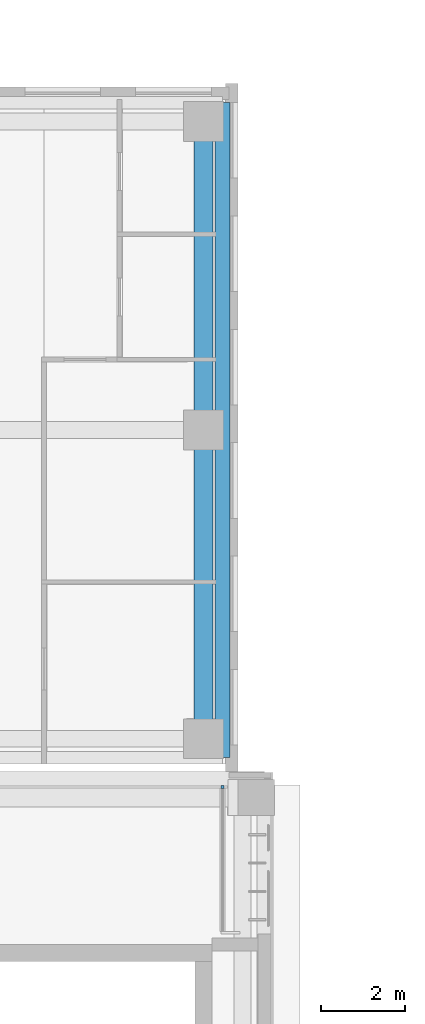
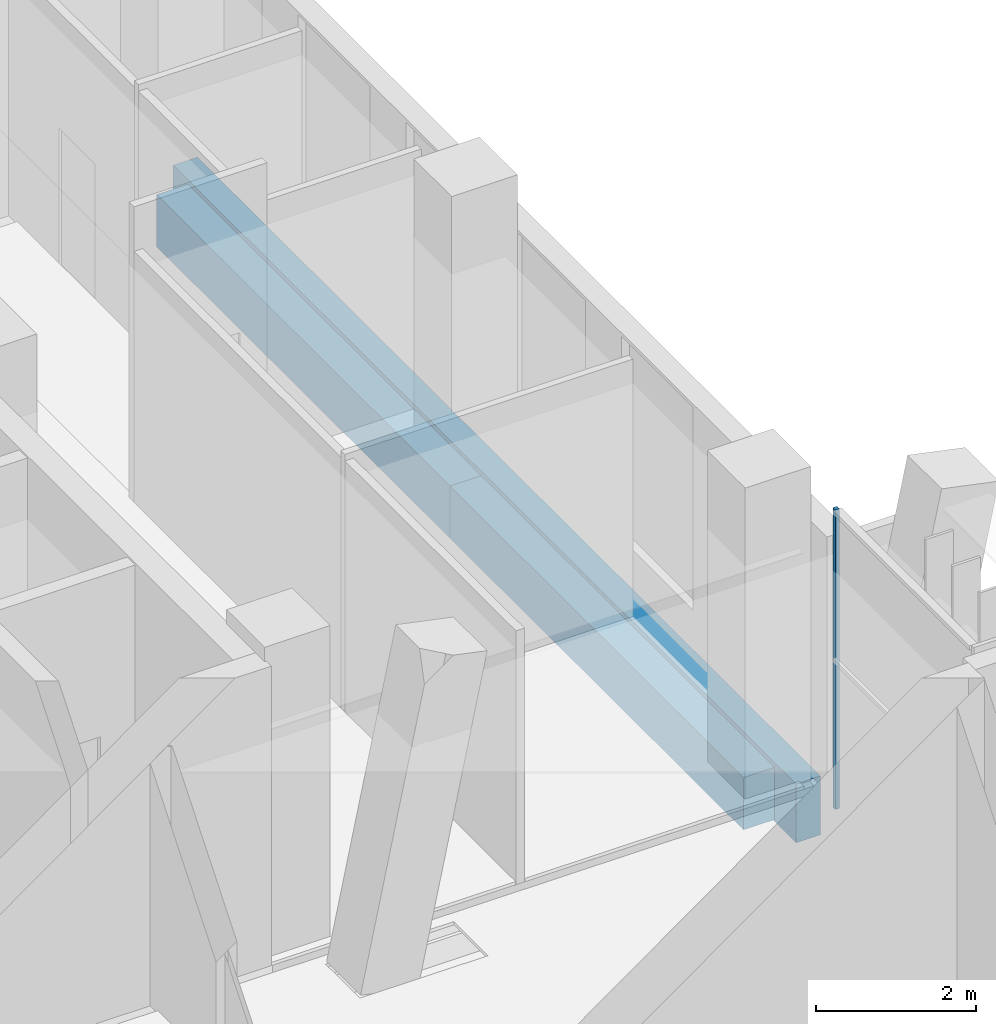
# One storey, part 50 of 92: 3 beams, 1 member, 1 element without a shape of its own.
"""IFC4 building model written with IfcOpenShell, lengths in metres."""

import ifcopenshell
import ifcopenshell.guid

model = None  # the IFC model being written
_history = None  # IfcOwnerHistory: only IFC2X3 demands one
_inside = {}  # id of a spatial element -> (the spatial element, [elements in it])
_under = {}  # id of a project, library or spatial element -> (it, [spatial elements below it])
_declared = {}  # id of a project -> (the project, [libraries it declares])
_typed = {}  # id of a type object -> (the type object, [elements of that type])
_made_of = {}  # id of a material, layer set ... -> (it, [elements and type objects made of it])


def new_model(schema):
    """Start an empty IFC model of exactly this schema.

    Asked for "IFC4X3", IfcOpenShell would pick the latest addendum, in which some entities
    have other attributes; the version numbers below select the first issue.
    IFC2X3 requires an IfcOwnerHistory on every rooted entity: one is made here for all.
    """
    global model, _history
    if schema == "IFC4X3":
        model = ifcopenshell.file(schema_version=(4, 3, 0, 0))
    else:
        model = ifcopenshell.file(schema=schema)
    _inside.clear()
    _under.clear()
    _declared.clear()
    _typed.clear()
    _made_of.clear()
    _history = None
    if model.schema == "IFC2X3":
        org = make("IfcOrganization", Name="unknown")
        user = make(
            "IfcPersonAndOrganization",
            ThePerson=make("IfcPerson", FamilyName="unknown"),
            TheOrganization=org,
        )
        app = make(
            "IfcApplication",
            ApplicationDeveloper=org,
            Version="unknown",
            ApplicationFullName="unknown",
            ApplicationIdentifier="unknown",
        )
        _history = make(
            "IfcOwnerHistory",
            OwningUser=user,
            OwningApplication=app,
            ChangeAction="ADDED",
            CreationDate=0,
        )
    return model


def make(cls, **values):
    """One entity of the class cls with the attributes given. An attribute that is None is left unset."""
    return model.create_entity(
        cls, **{name: value for name, value in values.items() if value is not None}
    )


def rooted(cls, **values):
    """An entity with a GlobalId (a new one), such as an element, a storey or a relation."""
    return make(cls, GlobalId=ifcopenshell.guid.new(), OwnerHistory=_history, **values)


def si_unit(unit_type, name, prefix=None):
    """IfcSIUnit, for example si_unit("LENGTHUNIT", "METRE", prefix="MILLI")."""
    return make("IfcSIUnit", UnitType=unit_type, Prefix=prefix, Name=name)


def assignment(units):
    """IfcUnitAssignment: the units of a project."""
    return None if units is None else make("IfcUnitAssignment", Units=units)


def point(xyz):
    """IfcCartesianPoint."""
    return None if xyz is None else make("IfcCartesianPoint", Coordinates=xyz)


def direction(xyz):
    """IfcDirection."""
    return None if xyz is None else make("IfcDirection", DirectionRatios=xyz)


def frame(location, z_axis=None, x_axis=None):
    """IfcAxis2Placement3D, a coordinate frame: its origin and axes. An axis left out is left unset."""
    return make(
        "IfcAxis2Placement3D",
        Location=point(location),
        Axis=direction(z_axis),
        RefDirection=direction(x_axis),
    )


def frame_2d(location, x_axis=None):
    """IfcAxis2Placement2D, a coordinate frame in the plane: its origin and x axis."""
    return make(
        "IfcAxis2Placement2D", Location=point(location), RefDirection=direction(x_axis)
    )


def origin():
    """The frame at (0, 0, 0) with its axes left unset."""
    return frame((0.0, 0.0, 0.0))


def origin_2d():
    """The frame at (0, 0) in the plane with its x axis left unset."""
    return frame_2d((0.0, 0.0))


def place(relative_to, where):
    """IfcLocalPlacement: puts the frame where relative to a parent placement (None: the world)."""
    return make(
        "IfcLocalPlacement", PlacementRelTo=relative_to, RelativePlacement=where
    )


def context(
    kind, dimensions, precision=None, world=None, true_north=None, identifier=None
):
    """IfcGeometricRepresentationContext, for example the 3D "Model" context."""
    return make(
        "IfcGeometricRepresentationContext",
        ContextIdentifier=identifier,
        ContextType=kind,
        CoordinateSpaceDimension=dimensions,
        Precision=precision,
        WorldCoordinateSystem=world,
        TrueNorth=true_north,
    )


def subcontext(parent, identifier, kind, view, scale=None):
    """IfcGeometricRepresentationSubContext, for example "Body" below "Model"."""
    return make(
        "IfcGeometricRepresentationSubContext",
        ContextIdentifier=identifier,
        ContextType=kind,
        ParentContext=parent,
        TargetScale=scale,
        TargetView=view,
    )


def project(units=None, contexts=None):
    """IfcProject with its units and contexts."""
    return rooted(
        "IfcProject",
        Name="project",
        RepresentationContexts=contexts,
        UnitsInContext=assignment(units),
    )


def spatial(cls, under=None, at=None, **own):
    """A site, building, storey or space (cls), placed at a placement, below another one or the project."""
    s = rooted(cls, ObjectPlacement=at, **own)
    if under is not None:
        _under.setdefault(under.id(), (under, []))[1].append(s)
    return s


def profile(cls, at=None, kind="AREA", **sizes):
    """A parametric profile (cls). Its sizes go by their IFC names, for example OverallWidth=200.0."""
    return make(cls, ProfileType=kind, Position=at, **sizes)


def rectangle(**sizes):
    """IfcRectangleProfileDef."""
    return profile("IfcRectangleProfileDef", **sizes)


def extrude(swept, where, along, depth):
    """IfcExtrudedAreaSolid: the profile swept, set in the frame where, extruded along a direction by depth."""
    return make(
        "IfcExtrudedAreaSolid",
        SweptArea=swept,
        Position=where,
        ExtrudedDirection=direction(along),
        Depth=depth,
    )


def shape(context_of_items, identifier, shape_type, items):
    """IfcShapeRepresentation: the items that make up one representation, for example the "Body"."""
    return make(
        "IfcShapeRepresentation",
        ContextOfItems=context_of_items,
        RepresentationIdentifier=identifier,
        RepresentationType=shape_type,
        Items=items,
    )


def material(Name=None, Category=None):
    """IfcMaterial."""
    return make("IfcMaterial", Name=Name, Category=Category)


def material_profile(
    of_material, cross_section, Name=None, Category=None, Priority=None
):
    """IfcMaterialProfile: a cross section and its material."""
    return make(
        "IfcMaterialProfile",
        Name=Name,
        Material=of_material,
        Profile=cross_section,
        Priority=Priority,
        Category=Category,
    )


def profile_set(profiles, Name=None, composite=None):
    """IfcMaterialProfileSet."""
    return make(
        "IfcMaterialProfileSet",
        Name=Name,
        MaterialProfiles=profiles,
        CompositeProfile=composite,
    )


def made_of(thing, what):
    """Note that an element or type object is made of a material, layer set ...; save() writes the relation."""
    if what is not None:
        _made_of.setdefault(what.id(), (what, []))[1].append(thing)
    return thing


def type_object(cls, material=None, **own):
    """A type object (cls), such as IfcWallType, which elements share."""
    return made_of(rooted(cls, **own), material)


def element(
    cls,
    number,
    at=None,
    inside=None,
    cuts=None,
    type_object=None,
    material=None,
    context=None,
    identifier="Body",
    shape_type=None,
    held_by="IfcProductDefinitionShape",
    body=None,
    shapes=None,
    **own,
):
    """One element of the class cls, such as IfcWall. Its Tag is "e" and its number.

    at: its placement. inside: the storey or other place that contains it. cuts: it is an
    opening in that element (IfcRelVoidsElement). A single representation is given by context,
    identifier, shape_type and body (its items); several are given by shapes. held_by: the class
    of the entity that holds the representations. save() writes the other relations.
    """
    e = rooted(cls, Tag="e%d" % number, ObjectPlacement=at, **own)
    if body is not None:
        shapes = [shape(context, identifier, shape_type, body)]
    if shapes is not None:
        e.Representation = make(held_by, Representations=shapes)
    if inside is not None:
        _inside.setdefault(inside.id(), (inside, []))[1].append(e)
    if cuts is not None:
        rooted(
            "IfcRelVoidsElement", RelatingBuildingElement=cuts, RelatedOpeningElement=e
        )
    if type_object is not None:
        _typed.setdefault(type_object.id(), (type_object, []))[1].append(e)
    return made_of(e, material)


def aggregate(whole, parts):
    """IfcRelAggregates: a whole, such as a stair, and the parts it consists of."""
    return rooted("IfcRelAggregates", RelatingObject=whole, RelatedObjects=parts)


def save(model, path):
    """Write the relations noted so far, then the file.

    IfcRelAggregates (storeys below a building ...), IfcRelContainedInSpatialStructure (elements
    in a storey), IfcRelDefinesByType, IfcRelAssociatesMaterial and IfcRelDeclares: one each for
    every whole, place, type object, material and project.
    """
    for whole, parts in _under.values():
        aggregate(whole, parts)
    for where, things in _inside.values():
        rooted(
            "IfcRelContainedInSpatialStructure",
            RelatedElements=things,
            RelatingStructure=where,
        )
    for kind, things in _typed.values():
        rooted("IfcRelDefinesByType", RelatedObjects=things, RelatingType=kind)
    for what, things in _made_of.values():
        rooted("IfcRelAssociatesMaterial", RelatedObjects=things, RelatingMaterial=what)
    for by, libraries in _declared.values():
        rooted("IfcRelDeclares", RelatingContext=by, RelatedDefinitions=libraries)
    model.write(path)


model = new_model("IFC4")

# Units and contexts
model_context = context("Model", 3, precision=1e-05, world=origin(), true_north=direction((0.0, 1.0)))
body_context = subcontext(model_context, "Body", "Model", "MODEL_VIEW")
ifc_project = project(units=[si_unit("LENGTHUNIT", "METRE"), si_unit("AREAUNIT", "SQUARE_METRE"), si_unit("VOLUMEUNIT", "CUBIC_METRE"), si_unit("PLANEANGLEUNIT", "RADIAN"), si_unit("MASSUNIT", "GRAM", prefix="KILO")], contexts=[model_context])

# Site, building, storey
site_placement = place(None, origin())
site = spatial("IfcSite", under=ifc_project, at=site_placement, CompositionType="ELEMENT")
building_placement = place(site_placement, origin())
building = spatial("IfcBuilding", under=site, at=building_placement, Name="Lantern Court Media Centre", CompositionType="ELEMENT")
storey_placement = place(building_placement, frame((0.0, 0.0, 4.800048828125)))
storey = spatial("IfcBuildingStorey", under=building, at=storey_placement, Name="L01", CompositionType="ELEMENT", Elevation=4.800048828125)

# Curtain wall, member
ifc_material_1 = material(Name="Curtain wall bay 3000")
curtain_wall_type = type_object("IfcCurtainWallType", Name="Curtain wall bay 3000", PredefinedType="NOTDEFINED", material=ifc_material_1)
curtain_wall_placement = place(storey_placement, origin())
curtain_wall = element("IfcCurtainWall", 1, at=curtain_wall_placement, inside=storey, type_object=curtain_wall_type, Name="Curtain wall E outer L01", PredefinedType="NOTDEFINED")
ifc_material_2 = material(Name="Anodised aluminium", Category="aluminium")
ifc_material_profile_1 = material_profile(ifc_material_2, rectangle(XDim=0.06005859375, YDim=0.06005859375, at=origin_2d()), Name="AL 60x60")
ifc_profile_set_1 = profile_set([ifc_material_profile_1], Name="Anodised aluminium")
member_type = type_object("IfcMemberType", Name="Curtain wall mullion 60x60", PredefinedType="MULLION", material=ifc_profile_set_1)
member_placement = place(storey_placement, frame((95.85009765625, 95.550048828125, 0.0), z_axis=(0.0, 0.0, 1.0), x_axis=(-1.0, 0.0, 0.0)))
member = element("IfcMember", 2, at=member_placement, type_object=member_type, Name="CW1 mullion 2", PredefinedType="MULLION", context=body_context, shape_type="SweptSolid", body=[
    extrude(rectangle(XDim=0.06005859375, YDim=0.06005859375, at=origin_2d()), origin(), (0.0, 0.0, 1.0), 4.579833984375),
])
aggregate(curtain_wall, [member])

# Beams
ifc_material_3 = material(Name="Concrete C35", Category="concrete")
ifc_material_profile_2 = material_profile(ifc_material_3, rectangle(XDim=0.35009765625, YDim=0.89990234375, at=origin_2d()), Name="RC 350x900")
ifc_profile_set_2 = profile_set([ifc_material_profile_2], Name="Concrete C35")
beam_type_1 = type_object("IfcBeamType", Name="RC BEAM 350x900", PredefinedType="BEAM", material=ifc_profile_set_2)
beam_1_placement = place(storey_placement, frame((95.85009765625, 96.25, -0.449951171875), z_axis=(0.0, 1.0, 0.0), x_axis=(-1.0, 0.0, 0.0)))
element("IfcBeam", 3, at=beam_1_placement, inside=storey, type_object=beam_type_1, Name="EB-NE-L01-E", PredefinedType="BEAM", context=body_context, shape_type="SweptSolid", body=[
    extrude(rectangle(XDim=0.35009765625, YDim=0.89990234375, at=origin_2d()), origin(), (0.0, 0.0, 1.0), 15.60009765625),
])
ifc_material_profile_3 = material_profile(ifc_material_3, rectangle(XDim=0.449951171875, YDim=0.800048828125, at=origin_2d()), Name="RC 450x800")
ifc_profile_set_3 = profile_set([ifc_material_profile_3], Name="Concrete C35")
beam_type_2 = type_object("IfcBeamType", Name="RC BEAM 450x800", PredefinedType="BEAM", material=ifc_profile_set_3)
beam_2_placement = place(storey_placement, frame((95.39990234375, 96.699951171875, -0.400146484375), z_axis=(0.0, 1.0, 0.0), x_axis=(-1.0, 0.0, 0.0)))
element("IfcBeam", 4, at=beam_2_placement, inside=storey, type_object=beam_type_2, Name="BB-NE-L01-X0-95", PredefinedType="BEAM", context=body_context, shape_type="SweptSolid", body=[
    extrude(rectangle(XDim=0.449951171875, YDim=0.800048828125, at=origin_2d()), origin(), (0.0, 0.0, 1.0), 7.35009765625),
])
beam_3_placement = place(storey_placement, frame((95.39990234375, 104.050048828125, -0.400146484375), z_axis=(0.0, 1.0, 0.0), x_axis=(-1.0, 0.0, 0.0)))
element("IfcBeam", 5, at=beam_3_placement, inside=storey, type_object=beam_type_2, Name="BB-NE-L01-X1-95", PredefinedType="BEAM", context=body_context, shape_type="SweptSolid", body=[
    extrude(rectangle(XDim=0.449951171875, YDim=0.800048828125, at=origin_2d()), origin(), (0.0, 0.0, 1.0), 7.349853515625),
])

save(model, "model.ifc")
